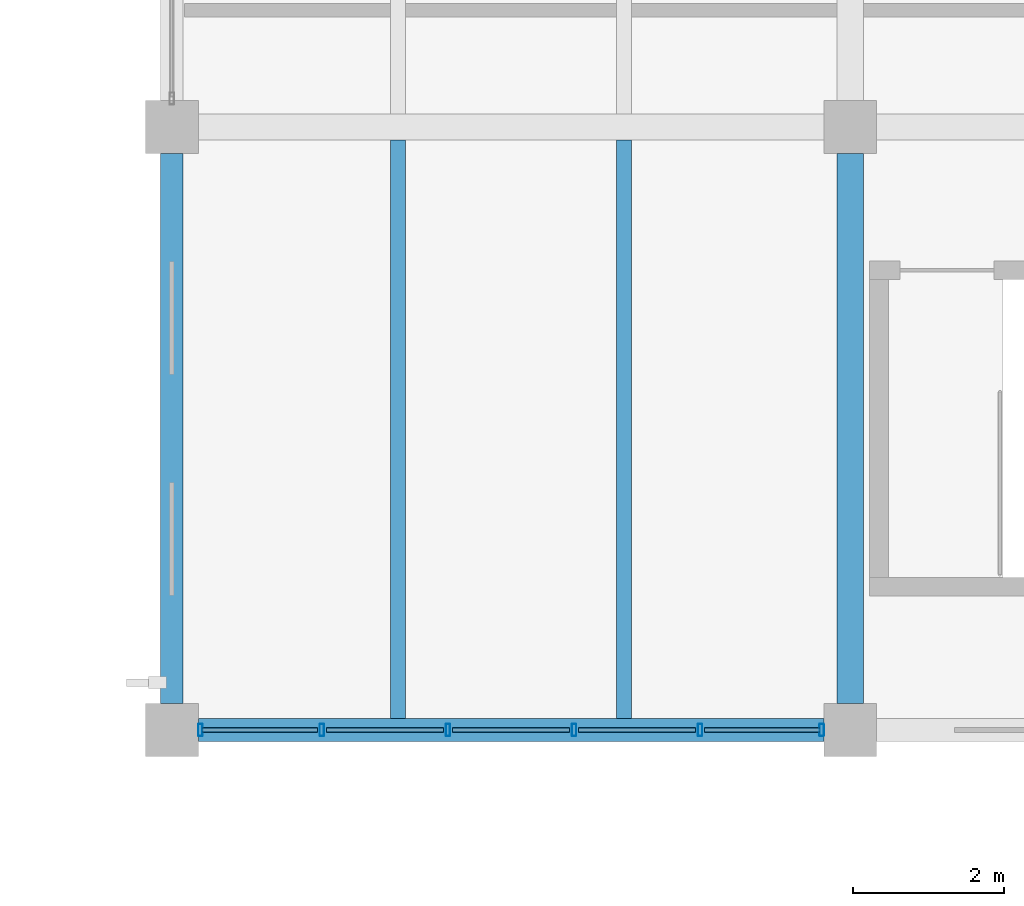
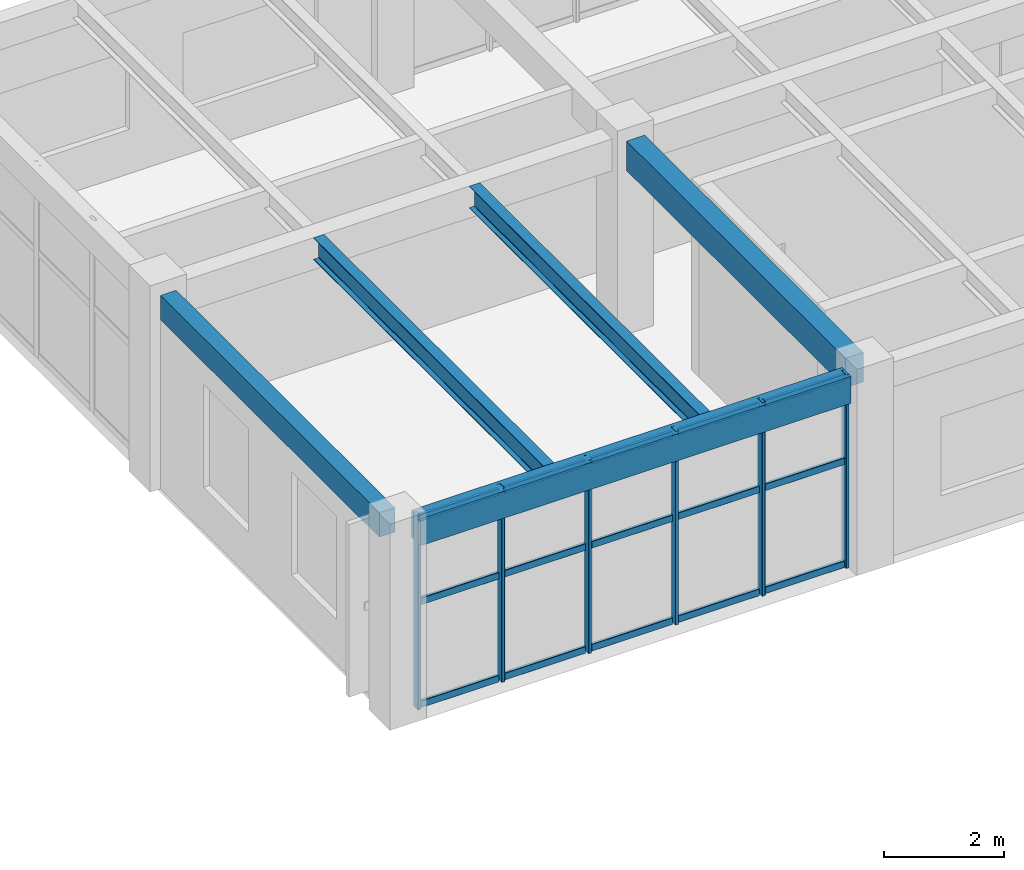
# One storey, part 31 of 128: 21 members, 5 beams, 1 element without a shape of its own.
"""IFC4 building model written with IfcOpenShell, lengths in metres."""

from ifc_helpers import new_model, si_unit, derived_unit, direction, frame, origin, origin_2d, place, context, subcontext, project, spatial, rectangle, hollow_rectangle, i_section, extrude, material, material_profile, profile_set, type_object, element, aggregate, save


model = new_model("IFC4")

# Units and contexts
model_context = context("Model", 3, precision=1e-05, world=origin(), true_north=direction((0.0, 1.0)))
body_context = subcontext(model_context, "Body", "Model", "MODEL_VIEW")
ifc_project = project(units=[si_unit("LENGTHUNIT", "METRE"), si_unit("AREAUNIT", "SQUARE_METRE"), si_unit("VOLUMEUNIT", "CUBIC_METRE"), si_unit("PLANEANGLEUNIT", "RADIAN"), si_unit("MASSUNIT", "GRAM", prefix="KILO"), derived_unit("THERMALTRANSMITTANCEUNIT", [(si_unit("MASSUNIT", "GRAM", prefix="KILO"), 1), (si_unit("TIMEUNIT", "SECOND"), -3), (si_unit("THERMODYNAMICTEMPERATUREUNIT", "KELVIN"), -1)])], contexts=[model_context])

# Site, building, storey
site_placement = place(None, origin())
site = spatial("IfcSite", under=ifc_project, at=site_placement, CompositionType="ELEMENT")
building_placement = place(site_placement, origin())
building = spatial("IfcBuilding", under=site, at=building_placement, Name="Zhenchuan Archway Interchange", CompositionType="ELEMENT")
storey_placement = place(building_placement, frame((0.0, 0.0, 14.39990234375)))
storey = spatial("IfcBuildingStorey", under=building, at=storey_placement, Name="L03", CompositionType="ELEMENT", Elevation=14.39990234375)

# Beam
ifc_material_1 = material(Name="Concrete C40", Category="concrete")
ifc_material_profile_1 = material_profile(ifc_material_1, rectangle(XDim=0.35009765625, YDim=0.60009765625, at=origin_2d()), Name="RC 350x600")
ifc_profile_set_1 = profile_set([ifc_material_profile_1], Name="Concrete C40")
beam_type_1 = type_object("IfcBeamType", Name="BM_RC_350x600", PredefinedType="BEAM", material=ifc_profile_set_1)
beam_1_placement = place(storey_placement, frame((117.0, 8.35009765625, 3.64013671875), z_axis=(0.0, 1.0, 0.0), x_axis=(-1.0, 0.0, 0.0)))
element("IfcBeam", 1, at=beam_1_placement, inside=storey, type_object=beam_type_1, Name="Beam 14:B-C (L03)", PredefinedType="BEAM", context=body_context, shape_type="SweptSolid", body=[
    extrude(rectangle(XDim=0.35009765625, YDim=0.60009765625, at=origin_2d()), origin(), (0.0, 0.0, 1.0), 7.2998046875),
])

# Curtain wall, members
ifc_material_2 = material(Name="Anodised Aluminium", Category="aluminium")
curtain_wall_type = type_object("IfcCurtainWallType", Name="CW_UNIT_3", PredefinedType="NOTDEFINED", material=ifc_material_2)
curtain_wall_placement = place(storey_placement, origin())
curtain_wall = element("IfcCurtainWall", 2, at=curtain_wall_placement, inside=storey, type_object=curtain_wall_type, Name="Unitised curtain wall CW:L03:186", PredefinedType="NOTDEFINED")
ifc_material_profile_2 = material_profile(ifc_material_2, hollow_rectangle(XDim=0.06005859375, YDim=0.159912109375, WallThickness=0.00390625, InnerFilletRadius=0.00390625, OuterFilletRadius=0.008056640625, at=origin_2d()), Name="ALU 160x60x4")
ifc_profile_set_2 = profile_set([ifc_material_profile_2], Name="Anodised Aluminium")
member_type_1 = type_object("IfcMemberType", Name="CW_MUL_150", PredefinedType="MULLION", material=ifc_profile_set_2)
member_1_placement = place(storey_placement, frame((116.6220703125, 8.0, 0.0), z_axis=(0.0, 0.0, 1.0), x_axis=(1.0, 0.0, 0.0)))
member_1 = element("IfcMember", 3, at=member_1_placement, type_object=member_type_1, Name="CW:L03:186 mullion 0", PredefinedType="MULLION", context=body_context, shape_type="SweptSolid", body=[
    extrude(hollow_rectangle(XDim=0.06005859375, YDim=0.159912109375, WallThickness=0.00390625, InnerFilletRadius=0.00390625, OuterFilletRadius=0.008056640625, at=origin_2d()), origin(), (0.0, 0.0, 1.0), 3.940185546875),
])
member_2_placement = place(storey_placement, frame((115.00927734375, 8.0, 0.0), z_axis=(0.0, 0.0, 1.0), x_axis=(1.0, 0.0, 0.0)))
member_2 = element("IfcMember", 4, at=member_2_placement, type_object=member_type_1, Name="CW:L03:186 mullion 1", PredefinedType="MULLION", context=body_context, shape_type="SweptSolid", body=[
    extrude(hollow_rectangle(XDim=0.06005859375, YDim=0.159912109375, WallThickness=0.00390625, InnerFilletRadius=0.00390625, OuterFilletRadius=0.008056640625, at=origin_2d()), origin(), (0.0, 0.0, 1.0), 3.940185546875),
])
member_3_placement = place(storey_placement, frame((113.33642578125, 8.0, 0.0), z_axis=(0.0, 0.0, 1.0), x_axis=(1.0, 0.0, 0.0)))
member_3 = element("IfcMember", 5, at=member_3_placement, type_object=member_type_1, Name="CW:L03:186 mullion 2", PredefinedType="MULLION", context=body_context, shape_type="SweptSolid", body=[
    extrude(hollow_rectangle(XDim=0.06005859375, YDim=0.159912109375, WallThickness=0.00390625, InnerFilletRadius=0.00390625, OuterFilletRadius=0.008056640625, at=origin_2d()), origin(), (0.0, 0.0, 1.0), 3.940185546875),
])
member_4_placement = place(storey_placement, frame((111.66357421875, 8.0, 0.0), z_axis=(0.0, 0.0, 1.0), x_axis=(1.0, 0.0, 0.0)))
member_4 = element("IfcMember", 6, at=member_4_placement, type_object=member_type_1, Name="CW:L03:186 mullion 3", PredefinedType="MULLION", context=body_context, shape_type="SweptSolid", body=[
    extrude(hollow_rectangle(XDim=0.06005859375, YDim=0.159912109375, WallThickness=0.00390625, InnerFilletRadius=0.00390625, OuterFilletRadius=0.008056640625, at=origin_2d()), origin(), (0.0, 0.0, 1.0), 3.940185546875),
])
member_5_placement = place(storey_placement, frame((109.99072265625, 8.0, 0.0), z_axis=(0.0, 0.0, 1.0), x_axis=(1.0, 0.0, 0.0)))
member_5 = element("IfcMember", 7, at=member_5_placement, type_object=member_type_1, Name="CW:L03:186 mullion 4", PredefinedType="MULLION", context=body_context, shape_type="SweptSolid", body=[
    extrude(hollow_rectangle(XDim=0.06005859375, YDim=0.159912109375, WallThickness=0.00390625, InnerFilletRadius=0.00390625, OuterFilletRadius=0.008056640625, at=origin_2d()), origin(), (0.0, 0.0, 1.0), 3.940185546875),
])
member_6_placement = place(storey_placement, frame((108.3779296875, 8.0, 0.0), z_axis=(0.0, 0.0, 1.0), x_axis=(1.0, 0.0, 0.0)))
member_6 = element("IfcMember", 8, at=member_6_placement, type_object=member_type_1, Name="CW:L03:186 mullion 5", PredefinedType="MULLION", context=body_context, shape_type="SweptSolid", body=[
    extrude(hollow_rectangle(XDim=0.06005859375, YDim=0.159912109375, WallThickness=0.00390625, InnerFilletRadius=0.00390625, OuterFilletRadius=0.008056640625, at=origin_2d()), origin(), (0.0, 0.0, 1.0), 3.940185546875),
])
ifc_material_profile_3 = material_profile(ifc_material_2, hollow_rectangle(XDim=0.06005859375, YDim=0.139892578125, WallThickness=0.00341796875, InnerFilletRadius=0.00341796875, OuterFilletRadius=0.007080078125, at=origin_2d()), Name="ALU 140x60x3.5")
ifc_profile_set_3 = profile_set([ifc_material_profile_3], Name="Anodised Aluminium")
member_type_2 = type_object("IfcMemberType", Name="CW_TRN_140", PredefinedType="USERDEFINED", material=ifc_profile_set_3)
member_7_placement = place(storey_placement, frame((116.60205078125, 8.0, 0.06005859375), z_axis=(-1.0, 0.0, 0.0), x_axis=(0.0, -1.0, 0.0)))
member_7 = element("IfcMember", 9, at=member_7_placement, type_object=member_type_2, Name="CW:L03:186 transom 0-1", ObjectType="TRANSOM", PredefinedType="USERDEFINED", context=body_context, shape_type="SweptSolid", body=[
    extrude(hollow_rectangle(XDim=0.06005859375, YDim=0.139892578125, WallThickness=0.00341796875, InnerFilletRadius=0.00341796875, OuterFilletRadius=0.007080078125, at=origin_2d()), origin(), (0.0, 0.0, 1.0), 1.532958984375),
])
member_8_placement = place(storey_placement, frame((116.60205078125, 8.0, 2.156005859375), z_axis=(-1.0, 0.0, 0.0), x_axis=(0.0, -1.0, 0.0)))
member_8 = element("IfcMember", 10, at=member_8_placement, type_object=member_type_2, Name="CW:L03:186 transom 0-2", ObjectType="TRANSOM", PredefinedType="USERDEFINED", context=body_context, shape_type="SweptSolid", body=[
    extrude(hollow_rectangle(XDim=0.06005859375, YDim=0.139892578125, WallThickness=0.00341796875, InnerFilletRadius=0.00341796875, OuterFilletRadius=0.007080078125, at=origin_2d()), origin(), (0.0, 0.0, 1.0), 1.532958984375),
])
member_9_placement = place(storey_placement, frame((116.60205078125, 8.0, 3.860107421875), z_axis=(-1.0, 0.0, 0.0), x_axis=(0.0, -1.0, 0.0)))
member_9 = element("IfcMember", 11, at=member_9_placement, type_object=member_type_2, Name="CW:L03:186 transom 0-3", ObjectType="TRANSOM", PredefinedType="USERDEFINED", context=body_context, shape_type="SweptSolid", body=[
    extrude(hollow_rectangle(XDim=0.06005859375, YDim=0.139892578125, WallThickness=0.00341796875, InnerFilletRadius=0.00341796875, OuterFilletRadius=0.007080078125, at=origin_2d()), origin(), (0.0, 0.0, 1.0), 1.532958984375),
])
member_10_placement = place(storey_placement, frame((114.94921875, 8.0, 0.06005859375), z_axis=(-1.0, 0.0, 0.0), x_axis=(0.0, -1.0, 0.0)))
member_10 = element("IfcMember", 12, at=member_10_placement, type_object=member_type_2, Name="CW:L03:186 transom 1-1", ObjectType="TRANSOM", PredefinedType="USERDEFINED", context=body_context, shape_type="SweptSolid", body=[
    extrude(hollow_rectangle(XDim=0.06005859375, YDim=0.139892578125, WallThickness=0.00341796875, InnerFilletRadius=0.00341796875, OuterFilletRadius=0.007080078125, at=origin_2d()), origin(), (0.0, 0.0, 1.0), 1.552734375),
])
member_11_placement = place(storey_placement, frame((114.94921875, 8.0, 2.156005859375), z_axis=(-1.0, 0.0, 0.0), x_axis=(0.0, -1.0, 0.0)))
member_11 = element("IfcMember", 13, at=member_11_placement, type_object=member_type_2, Name="CW:L03:186 transom 1-2", ObjectType="TRANSOM", PredefinedType="USERDEFINED", context=body_context, shape_type="SweptSolid", body=[
    extrude(hollow_rectangle(XDim=0.06005859375, YDim=0.139892578125, WallThickness=0.00341796875, InnerFilletRadius=0.00341796875, OuterFilletRadius=0.007080078125, at=origin_2d()), origin(), (0.0, 0.0, 1.0), 1.552734375),
])
member_12_placement = place(storey_placement, frame((114.94921875, 8.0, 3.860107421875), z_axis=(-1.0, 0.0, 0.0), x_axis=(0.0, -1.0, 0.0)))
member_12 = element("IfcMember", 14, at=member_12_placement, type_object=member_type_2, Name="CW:L03:186 transom 1-3", ObjectType="TRANSOM", PredefinedType="USERDEFINED", context=body_context, shape_type="SweptSolid", body=[
    extrude(hollow_rectangle(XDim=0.06005859375, YDim=0.139892578125, WallThickness=0.00341796875, InnerFilletRadius=0.00341796875, OuterFilletRadius=0.007080078125, at=origin_2d()), origin(), (0.0, 0.0, 1.0), 1.552734375),
])
member_13_placement = place(storey_placement, frame((113.2763671875, 8.0, 0.06005859375), z_axis=(-1.0, 0.0, 0.0), x_axis=(0.0, -1.0, 0.0)))
member_13 = element("IfcMember", 15, at=member_13_placement, type_object=member_type_2, Name="CW:L03:186 transom 2-1", ObjectType="TRANSOM", PredefinedType="USERDEFINED", context=body_context, shape_type="SweptSolid", body=[
    extrude(hollow_rectangle(XDim=0.06005859375, YDim=0.139892578125, WallThickness=0.00341796875, InnerFilletRadius=0.00341796875, OuterFilletRadius=0.007080078125, at=origin_2d()), origin(), (0.0, 0.0, 1.0), 1.552734375),
])
member_14_placement = place(storey_placement, frame((113.2763671875, 8.0, 2.156005859375), z_axis=(-1.0, 0.0, 0.0), x_axis=(0.0, -1.0, 0.0)))
member_14 = element("IfcMember", 16, at=member_14_placement, type_object=member_type_2, Name="CW:L03:186 transom 2-2", ObjectType="TRANSOM", PredefinedType="USERDEFINED", context=body_context, shape_type="SweptSolid", body=[
    extrude(hollow_rectangle(XDim=0.06005859375, YDim=0.139892578125, WallThickness=0.00341796875, InnerFilletRadius=0.00341796875, OuterFilletRadius=0.007080078125, at=origin_2d()), origin(), (0.0, 0.0, 1.0), 1.552734375),
])
member_15_placement = place(storey_placement, frame((113.2763671875, 8.0, 3.860107421875), z_axis=(-1.0, 0.0, 0.0), x_axis=(0.0, -1.0, 0.0)))
member_15 = element("IfcMember", 17, at=member_15_placement, type_object=member_type_2, Name="CW:L03:186 transom 2-3", ObjectType="TRANSOM", PredefinedType="USERDEFINED", context=body_context, shape_type="SweptSolid", body=[
    extrude(hollow_rectangle(XDim=0.06005859375, YDim=0.139892578125, WallThickness=0.00341796875, InnerFilletRadius=0.00341796875, OuterFilletRadius=0.007080078125, at=origin_2d()), origin(), (0.0, 0.0, 1.0), 1.552734375),
])
member_16_placement = place(storey_placement, frame((111.603515625, 8.0, 0.06005859375), z_axis=(-1.0, 0.0, 0.0), x_axis=(0.0, -1.0, 0.0)))
member_16 = element("IfcMember", 18, at=member_16_placement, type_object=member_type_2, Name="CW:L03:186 transom 3-1", ObjectType="TRANSOM", PredefinedType="USERDEFINED", context=body_context, shape_type="SweptSolid", body=[
    extrude(hollow_rectangle(XDim=0.06005859375, YDim=0.139892578125, WallThickness=0.00341796875, InnerFilletRadius=0.00341796875, OuterFilletRadius=0.007080078125, at=origin_2d()), origin(), (0.0, 0.0, 1.0), 1.552734375),
])
member_17_placement = place(storey_placement, frame((111.603515625, 8.0, 2.156005859375), z_axis=(-1.0, 0.0, 0.0), x_axis=(0.0, -1.0, 0.0)))
member_17 = element("IfcMember", 19, at=member_17_placement, type_object=member_type_2, Name="CW:L03:186 transom 3-2", ObjectType="TRANSOM", PredefinedType="USERDEFINED", context=body_context, shape_type="SweptSolid", body=[
    extrude(hollow_rectangle(XDim=0.06005859375, YDim=0.139892578125, WallThickness=0.00341796875, InnerFilletRadius=0.00341796875, OuterFilletRadius=0.007080078125, at=origin_2d()), origin(), (0.0, 0.0, 1.0), 1.552734375),
])
member_18_placement = place(storey_placement, frame((111.603515625, 8.0, 3.860107421875), z_axis=(-1.0, 0.0, 0.0), x_axis=(0.0, -1.0, 0.0)))
member_18 = element("IfcMember", 20, at=member_18_placement, type_object=member_type_2, Name="CW:L03:186 transom 3-3", ObjectType="TRANSOM", PredefinedType="USERDEFINED", context=body_context, shape_type="SweptSolid", body=[
    extrude(hollow_rectangle(XDim=0.06005859375, YDim=0.139892578125, WallThickness=0.00341796875, InnerFilletRadius=0.00341796875, OuterFilletRadius=0.007080078125, at=origin_2d()), origin(), (0.0, 0.0, 1.0), 1.552734375),
])
member_19_placement = place(storey_placement, frame((109.930908203125, 8.0, 0.06005859375), z_axis=(-1.0, 0.0, 0.0), x_axis=(0.0, -1.0, 0.0)))
member_19 = element("IfcMember", 21, at=member_19_placement, type_object=member_type_2, Name="CW:L03:186 transom 4-1", ObjectType="TRANSOM", PredefinedType="USERDEFINED", context=body_context, shape_type="SweptSolid", body=[
    extrude(hollow_rectangle(XDim=0.06005859375, YDim=0.139892578125, WallThickness=0.00341796875, InnerFilletRadius=0.00341796875, OuterFilletRadius=0.007080078125, at=origin_2d()), origin(), (0.0, 0.0, 1.0), 1.532958984375),
])
member_20_placement = place(storey_placement, frame((109.930908203125, 8.0, 2.156005859375), z_axis=(-1.0, 0.0, 0.0), x_axis=(0.0, -1.0, 0.0)))
member_20 = element("IfcMember", 22, at=member_20_placement, type_object=member_type_2, Name="CW:L03:186 transom 4-2", ObjectType="TRANSOM", PredefinedType="USERDEFINED", context=body_context, shape_type="SweptSolid", body=[
    extrude(hollow_rectangle(XDim=0.06005859375, YDim=0.139892578125, WallThickness=0.00341796875, InnerFilletRadius=0.00341796875, OuterFilletRadius=0.007080078125, at=origin_2d()), origin(), (0.0, 0.0, 1.0), 1.532958984375),
])
member_21_placement = place(storey_placement, frame((109.930908203125, 8.0, 3.860107421875), z_axis=(-1.0, 0.0, 0.0), x_axis=(0.0, -1.0, 0.0)))
member_21 = element("IfcMember", 23, at=member_21_placement, type_object=member_type_2, Name="CW:L03:186 transom 4-3", ObjectType="TRANSOM", PredefinedType="USERDEFINED", context=body_context, shape_type="SweptSolid", body=[
    extrude(hollow_rectangle(XDim=0.06005859375, YDim=0.139892578125, WallThickness=0.00341796875, InnerFilletRadius=0.00341796875, OuterFilletRadius=0.007080078125, at=origin_2d()), origin(), (0.0, 0.0, 1.0), 1.532958984375),
])
aggregate(curtain_wall, [member_1, member_2, member_3, member_4, member_5, member_6, member_7, member_8, member_9, member_10, member_11, member_12, member_13, member_14, member_15, member_16, member_17, member_18, member_19, member_20, member_21])

# Beams
ifc_material_3 = material(Name="Steel Q355", Category="steel")
ifc_material_profile_4 = material_profile(ifc_material_3, i_section(OverallWidth=0.199951171875, OverallDepth=0.449951171875, WebThickness=0.009033203125, FlangeThickness=0.013916015625, FilletRadius=0.01806640625, at=origin_2d()), Name="HN 450x200")
ifc_profile_set_4 = profile_set([ifc_material_profile_4], Name="Steel Q355")
beam_type_2 = type_object("IfcBeamType", Name="JST_STL_HN450", PredefinedType="JOIST", material=ifc_profile_set_4)
for number, where, z_axis, x_axis, name in (
    (24, (111.0, 8.14990234375, 3.715087890625), (0.0, 1.0, 0.0), (-1.0, 0.0, 0.0), "Secondary joist 13-14/B-C #1 (L03)"),
    (25, (114.0, 8.14990234375, 3.715087890625), (0.0, 1.0, 0.0), (-1.0, 0.0, 0.0), "Secondary joist 13-14/B-C #2 (L03)"),
):
    element("IfcBeam", number, at=place(storey_placement, frame(where, z_axis=z_axis, x_axis=x_axis)), inside=storey, type_object=beam_type_2, Name=name, PredefinedType="JOIST", context=body_context, shape_type="SweptSolid", body=[
        extrude(i_section(OverallWidth=0.199951171875, OverallDepth=0.449951171875, WebThickness=0.009033203125, FlangeThickness=0.013916015625, FilletRadius=0.01806640625, at=origin_2d()), origin(), (0.0, 0.0, 1.0), 7.675048828125),
    ])
ifc_material_profile_5 = material_profile(ifc_material_1, rectangle(XDim=0.300048828125, YDim=0.5, at=origin_2d()), Name="RC 300x500")
ifc_profile_set_5 = profile_set([ifc_material_profile_5], Name="Concrete C40")
beam_type_3 = type_object("IfcBeamType", Name="SP_RC_300x500", PredefinedType="SPANDREL", material=ifc_profile_set_5)
beam_2_placement = place(storey_placement, frame((108.0, 8.35009765625, 3.690185546875), z_axis=(0.0, 1.0, 0.0), x_axis=(-1.0, 0.0, 0.0)))
element("IfcBeam", 26, at=beam_2_placement, inside=storey, type_object=beam_type_3, Name="Beam 13:B-C (L03)", PredefinedType="SPANDREL", context=body_context, shape_type="SweptSolid", body=[
    extrude(rectangle(XDim=0.300048828125, YDim=0.5, at=origin_2d()), origin(), (0.0, 0.0, 1.0), 7.2998046875),
])
ifc_material_profile_6 = material_profile(ifc_material_1, rectangle(XDim=0.300048828125, YDim=0.550048828125, at=origin_2d()), Name="RC 300x550")
ifc_profile_set_6 = profile_set([ifc_material_profile_6], Name="Concrete C40")
beam_type_4 = type_object("IfcBeamType", Name="SP_RC_300x550", PredefinedType="SPANDREL", material=ifc_profile_set_6)
beam_3_placement = place(storey_placement, frame((108.35009765625, 8.0, 3.6650390625), z_axis=(1.0, 0.0, 0.0), x_axis=(0.0, 1.0, 0.0)))
element("IfcBeam", 27, at=beam_3_placement, inside=storey, type_object=beam_type_4, Name="Beam B:13-14 (L03)", PredefinedType="SPANDREL", context=body_context, shape_type="SweptSolid", body=[
    extrude(rectangle(XDim=0.300048828125, YDim=0.550048828125, at=origin_2d()), origin(), (0.0, 0.0, 1.0), 8.2998046875),
])

save(model, "model.ifc")
